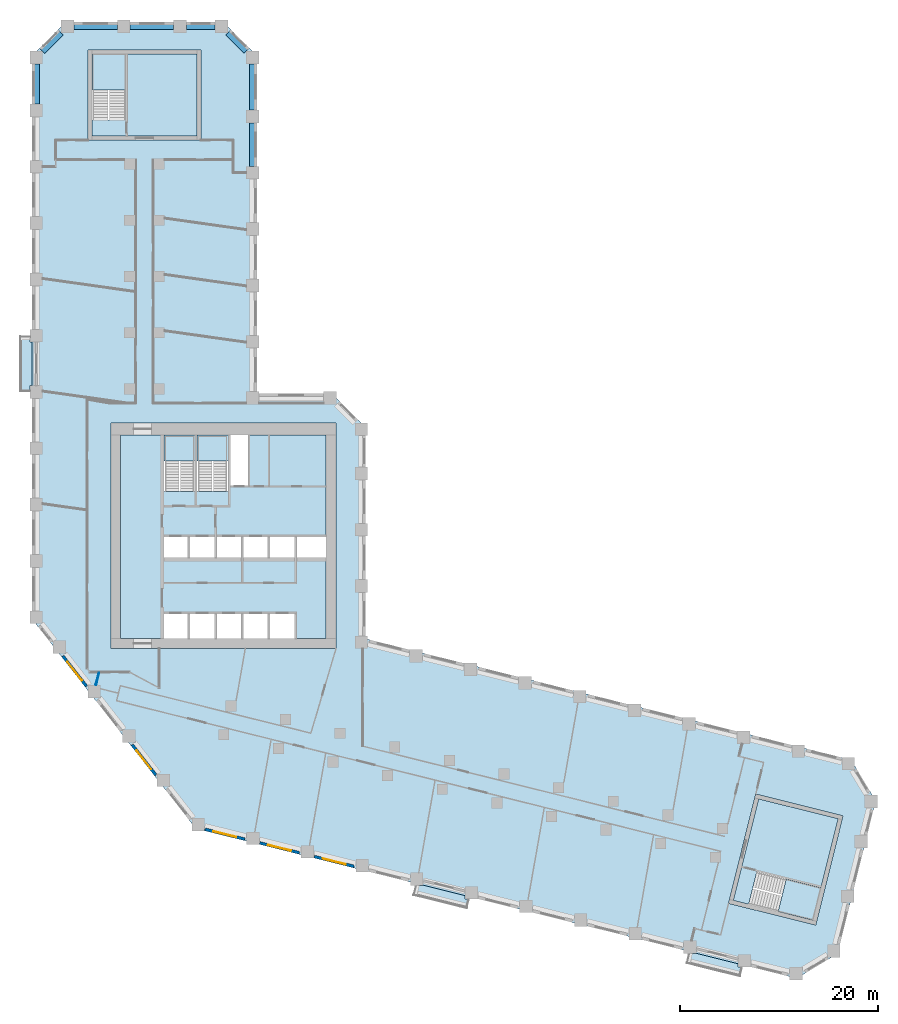
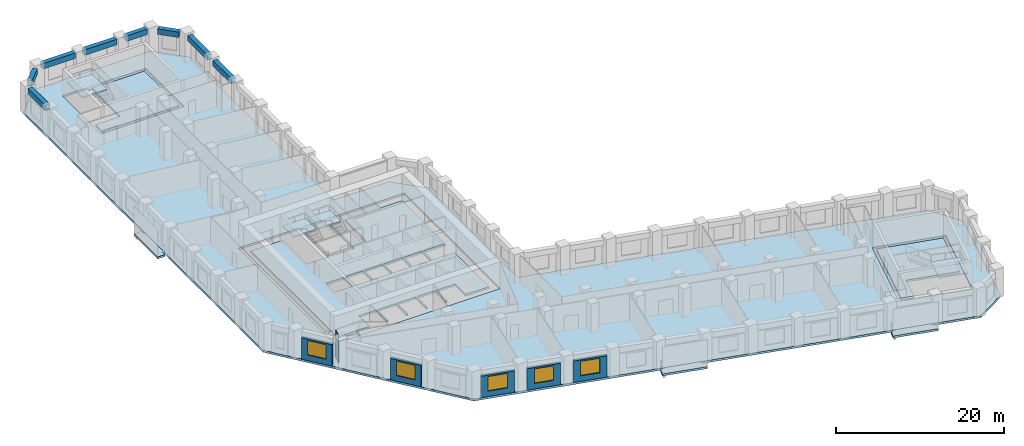
# One storey, part 2 of 10: 11 slabs, 8 beams, 6 walls, 5 windows, 5 openings, 4 elements without a shape of their own.
"""IFC4 building model written with IfcOpenShell, lengths in metres."""

from ifc_helpers import new_model, si_unit, direction, frame, frame_2d, origin, origin_2d, place, context, subcontext, project, spatial, polyline, rectangle, outline, extrude, material, layer, layer_set, material_profile, profile_set, type_object, element, fill, aggregate, save


model = new_model("IFC4")

# Units and contexts
model_context = context("Model", 3, precision=1e-05, world=origin(), true_north=direction((0.0, 1.0)))
body_context = subcontext(model_context, "Body", "Model", "MODEL_VIEW")
ifc_project = project(units=[si_unit("LENGTHUNIT", "METRE"), si_unit("AREAUNIT", "SQUARE_METRE"), si_unit("VOLUMEUNIT", "CUBIC_METRE"), si_unit("PLANEANGLEUNIT", "RADIAN"), si_unit("MASSUNIT", "GRAM", prefix="KILO")], contexts=[model_context])

# Site, building, storey
site_placement = place(None, origin())
site = spatial("IfcSite", under=ifc_project, at=site_placement, CompositionType="ELEMENT")
building_placement = place(site_placement, origin())
building = spatial("IfcBuilding", under=site, at=building_placement, Name="Meshkara Civic Tower", CompositionType="ELEMENT")
storey_placement = place(building_placement, frame((0.0, 0.0, 118.199951171875)))
storey = spatial("IfcBuildingStorey", under=building, at=storey_placement, Name="L26", CompositionType="ELEMENT", Elevation=118.199951171875)

# Beams
ifc_material_1 = material(Name="Concrete C70", Category="concrete")
ifc_material_profile = material_profile(ifc_material_1, rectangle(XDim=0.60009765625, YDim=0.800048828125, at=origin_2d()))
ifc_profile_set = profile_set([ifc_material_profile], Name="Concrete C70")
beam_type = type_object("IfcBeamType", Name="Spandrel beam RC 600x800 C70", PredefinedType="BEAM", material=ifc_profile_set)
beam_1_placement = place(storey_placement, frame((22.35009765625, 62.89501953125, 3.5), z_axis=(0.0, 1.0, 0.0), x_axis=(-1.0, 0.0, 0.0)))
element("IfcBeam", 1, at=beam_1_placement, inside=storey, type_object=beam_type, Name="Spandrel beam AE04-AE05", PredefinedType="BEAM", context=body_context, shape_type="SweptSolid", body=[
    extrude(rectangle(XDim=0.60009765625, YDim=0.800048828125, at=origin_2d()), origin(), (0.0, 0.0, 1.0), 4.409912109375),
])
beam_2_placement = place(storey_placement, frame((22.35009765625, 68.594970703125, 3.5), z_axis=(0.0, 1.0, 0.0), x_axis=(-1.0, 0.0, 0.0)))
element("IfcBeam", 2, at=beam_2_placement, inside=storey, type_object=beam_type, Name="Spandrel beam AE05-AEEP1", PredefinedType="BEAM", context=body_context, shape_type="SweptSolid", body=[
    extrude(rectangle(XDim=0.60009765625, YDim=0.800048828125, at=origin_2d()), origin(), (0.0, 0.0, 1.0), 4.674072265625),
])
beam_3_placement = place(storey_placement, frame((21.70361328125, 74.560546875, 3.5), z_axis=(-0.707106781187, 0.707106781187, 0.0), x_axis=(-0.707106781187, -0.707106781187, 0.0)))
element("IfcBeam", 3, at=beam_3_placement, inside=storey, type_object=beam_type, Name="Spandrel beam AEEP1-ATiEP1", PredefinedType="BEAM", context=body_context, shape_type="SweptSolid", body=[
    extrude(rectangle(XDim=0.60009765625, YDim=0.800048828125, at=origin_2d()), origin(), (0.0, 0.0, 1.0), 2.634765625),
])
beam_4_placement = place(storey_placement, frame((18.549072265625, 77.070068359375, 3.5), z_axis=(-1.0, 0.0, 0.0), x_axis=(0.0, -1.0, 0.0)))
element("IfcBeam", 4, at=beam_4_placement, inside=storey, type_object=beam_type, Name="Spandrel beam AT02-P1-ATiEP1", PredefinedType="BEAM", context=body_context, shape_type="SweptSolid", body=[
    extrude(rectangle(XDim=0.60009765625, YDim=0.800048828125, at=origin_2d()), origin(), (0.0, 0.0, 1.0), 2.898193359375),
])
beam_5_placement = place(storey_placement, frame((14.361083984375, 77.070068359375, 3.5), z_axis=(-1.0, 0.0, 0.0), x_axis=(0.0, -1.0, 0.0)))
element("IfcBeam", 5, at=beam_5_placement, inside=storey, type_object=beam_type, Name="Spandrel beam AT01-P1-AT02-P1", PredefinedType="BEAM", context=body_context, shape_type="SweptSolid", body=[
    extrude(rectangle(XDim=0.60009765625, YDim=0.800048828125, at=origin_2d()), origin(), (0.0, 0.0, 1.0), 4.41015625),
])
beam_6_placement = place(storey_placement, frame((8.660888671875, 77.070068359375, 3.5), z_axis=(-1.0, 0.0, 0.0), x_axis=(0.0, -1.0, 0.0)))
element("IfcBeam", 6, at=beam_6_placement, inside=storey, type_object=beam_type, Name="Spandrel beam AT00-P1-AT01-P1", PredefinedType="BEAM", context=body_context, shape_type="SweptSolid", body=[
    extrude(rectangle(XDim=0.60009765625, YDim=0.800048828125, at=origin_2d()), origin(), (0.0, 0.0, 1.0), 4.409912109375),
])
beam_7_placement = place(storey_placement, frame((2.95947265625, 76.423583984375, 3.5), z_axis=(-0.707106781187, -0.707106781187, 0.0), x_axis=(0.707106781187, -0.707106781187, 0.0)))
element("IfcBeam", 7, at=beam_7_placement, inside=storey, type_object=beam_type, Name="Spandrel beam AT00-P1-ATo00-P1", PredefinedType="BEAM", context=body_context, shape_type="SweptSolid", body=[
    extrude(rectangle(XDim=0.60009765625, YDim=0.800048828125, at=origin_2d()), origin(), (0.0, 0.0, 1.0), 2.634765625),
])
beam_8_placement = place(storey_placement, frame((0.449951171875, 73.26904296875, 3.5), z_axis=(0.0, -1.0, 0.0), x_axis=(1.0, 0.0, 0.0)))
element("IfcBeam", 8, at=beam_8_placement, inside=storey, type_object=beam_type, Name="Spandrel beam ATo00-P1-AW09", PredefinedType="BEAM", context=body_context, shape_type="SweptSolid", body=[
    extrude(rectangle(XDim=0.60009765625, YDim=0.800048828125, at=origin_2d()), origin(), (0.0, 0.0, 1.0), 4.069091796875),
])

# Slabs
ifc_material_2 = material(Name="Concrete C40", Category="concrete")
ifc_layer_1 = layer(ifc_material_2, 0.300048828125)
ifc_layer_set_1 = layer_set([ifc_layer_1], Name="BALCONY SLAB")
slab_type_1 = type_object("IfcSlabType", Name="BALCONY SLAB", PredefinedType="FLOOR", material=ifc_layer_set_1)
slab_1_placement = place(storey_placement, frame((0.0, 0.0, -0.300048828125)))
element("IfcSlab", 9, at=slab_1_placement, inside=storey, type_object=slab_type_1, Name="Balcony slab", PredefinedType="FLOOR", context=body_context, shape_type="SweptSolid", body=[
    extrude(outline(polyline([(-1.199951171875, 40.114990234375), (-1.199951171875, 45.695068359375), (-0.199951171875, 45.695068359375), (-0.199951171875, 45.10498046875), (0.0, 45.10498046875), (0.0, 40.705078125), (-0.199951171875, 40.705078125), (-0.199951171875, 40.114990234375), (-1.199951171875, 40.114990234375)])), origin(), (0.0, 0.0, 1.0), 0.300048828125),
])
slab_2_placement = place(storey_placement, frame((0.0, 0.0, -0.300048828125)))
element("IfcSlab", 10, at=slab_2_placement, inside=storey, type_object=slab_type_1, Name="Balcony slab", PredefinedType="FLOOR", context=body_context, shape_type="SweptSolid", body=[
    extrude(outline(polyline([(44.048095703125, -12.218994140625), (38.633056640625, -10.868896484375), (38.8740234375, -9.903076171875), (39.6240234375, -9.903076171875), (39.6240234375, -9.87890625), (43.85498046875, -10.93408203125), (43.85498046875, -11.281982421875), (44.281005859375, -11.281982421875), (44.048095703125, -12.218994140625)])), origin(), (0.0, 0.0, 1.0), 0.300048828125),
])
slab_3_placement = place(storey_placement, frame((0.0, 0.0, -0.300048828125)))
element("IfcSlab", 11, at=slab_3_placement, inside=storey, type_object=slab_type_1, Name="Balcony slab", PredefinedType="FLOOR", context=body_context, shape_type="SweptSolid", body=[
    extrude(outline(polyline([(71.700927734375, -19.113037109375), (66.285888671875, -17.762939453125), (66.527099609375, -16.798095703125), (67.277099609375, -16.798095703125), (67.277099609375, -16.77392578125), (71.508056640625, -17.8291015625), (71.508056640625, -18.177001953125), (71.93408203125, -18.177001953125), (71.700927734375, -19.113037109375)])), origin(), (0.0, 0.0, 1.0), 0.300048828125),
])
ifc_material_3 = material(Name="Concrete C40/50", Category="concrete")
ifc_layer_2 = layer(ifc_material_3, 0.300048828125)
ifc_layer_set_2 = layer_set([ifc_layer_2], Name="Core floor slab 300 C40/50")
slab_type_2 = type_object("IfcSlabType", Name="Core floor slab 300 C40/50", PredefinedType="FLOOR", material=ifc_layer_set_2)
slab_4_placement = place(storey_placement, frame((0.0, 0.0, -0.300048828125)))
element("IfcSlab", 12, at=slab_4_placement, inside=storey, type_object=slab_type_2, Name="Core floor K", PredefinedType="FLOOR", context=body_context, shape_type="SweptSolid", body=[
    extrude(outline(polyline([(9.0, 35.699951171875), (13.39990234375, 35.699951171875), (13.39990234375, 30.00146484375), (16.5, 30.00146484375), (16.5, 35.699951171875), (16.699951171875, 35.699951171875), (16.699951171875, 30.00146484375), (19.89990234375, 30.00146484375), (19.89990234375, 35.699951171875), (20.10009765625, 35.699951171875), (20.10009765625, 30.574951171875), (21.925048828125, 30.574951171875), (21.925048828125, 35.699951171875), (29.800048828125, 35.699951171875), (29.800048828125, 25.39990234375), (26.800048828125, 25.39990234375), (26.800048828125, 23.300048828125), (29.800048828125, 23.300048828125), (29.800048828125, 15.10009765625), (26.60009765625, 15.10009765625), (26.60009765625, 17.60009765625), (24.10009765625, 17.60009765625), (24.10009765625, 15.10009765625), (23.89990234375, 15.10009765625), (23.89990234375, 17.60009765625), (21.39990234375, 17.60009765625), (21.39990234375, 15.10009765625), (21.199951171875, 15.10009765625), (21.199951171875, 17.60009765625), (18.699951171875, 17.60009765625), (18.699951171875, 15.10009765625), (18.5, 15.10009765625), (18.5, 17.60009765625), (16.0, 17.60009765625), (16.0, 15.10009765625), (15.800048828125, 15.10009765625), (15.800048828125, 17.60009765625), (13.39990234375, 17.60009765625), (13.39990234375, 15.10009765625), (9.0, 15.10009765625), (9.0, 35.699951171875)]), holes=[polyline([(13.39990234375, 25.39990234375), (13.39990234375, 23.300048828125), (15.800048828125, 23.300048828125), (15.800048828125, 25.39990234375), (13.39990234375, 25.39990234375)]), polyline([(18.5, 23.300048828125), (18.5, 25.39990234375), (16.0, 25.39990234375), (16.0, 23.300048828125), (18.5, 23.300048828125)]), polyline([(18.699951171875, 25.39990234375), (18.699951171875, 23.300048828125), (21.199951171875, 23.300048828125), (21.199951171875, 25.39990234375), (18.699951171875, 25.39990234375)]), polyline([(21.39990234375, 23.300048828125), (23.89990234375, 23.300048828125), (23.89990234375, 25.39990234375), (21.39990234375, 25.39990234375), (21.39990234375, 23.300048828125)]), polyline([(26.60009765625, 25.39990234375), (24.10009765625, 25.39990234375), (24.10009765625, 23.300048828125), (26.60009765625, 23.300048828125), (26.60009765625, 25.39990234375)])]), origin(), (0.0, 0.0, 1.0), 0.300048828125),
])
slab_5_placement = place(storey_placement, frame((0.0, 0.0, -0.300048828125)))
element("IfcSlab", 13, at=slab_5_placement, inside=storey, type_object=slab_type_2, Name="Core floor EA", PredefinedType="FLOOR", context=body_context, shape_type="SweptSolid", body=[
    extrude(outline(polyline([(16.699951171875, 65.969970703125), (16.699951171875, 74.27001953125), (9.5, 74.27001953125), (9.5, 67.571533203125), (6.10009765625, 67.571533203125), (6.10009765625, 65.969970703125), (16.699951171875, 65.969970703125)])), origin(), (0.0, 0.0, 1.0), 0.300048828125),
])
slab_6_placement = place(storey_placement, frame((0.0, 0.0, -0.300048828125)))
element("IfcSlab", 14, at=slab_6_placement, inside=storey, type_object=slab_type_2, Name="Core floor EB", PredefinedType="FLOOR", context=body_context, shape_type="SweptSolid", body=[
    extrude(outline(polyline([(73.581298828125, -1.134521484375), (81.634521484375, -3.142578125), (79.892822265625, -10.128662109375), (73.393310546875, -8.508056640625), (72.57080078125, -11.80712890625), (71.016845703125, -11.419677734375), (73.581298828125, -1.134521484375)])), origin(), (0.0, 0.0, 1.0), 0.300048828125),
])

# Stair, slab
ifc_material_4 = material(Name="Precast concrete C40/50", Category="concrete")
stair_type_1 = type_object("IfcStairType", Name="Exit stair half-turn 24 risers precast", PredefinedType="HALF_TURN_STAIR", material=ifc_material_4)
stair_1_placement = place(storey_placement, origin())
stair_1 = element("IfcStair", 15, at=stair_1_placement, inside=storey, type_object=stair_type_1, Name="L26 exit stair 1", PredefinedType="HALF_TURN_STAIR")
ifc_material_5 = material(Name="Precast concrete C40/50", Category="concrete")
ifc_layer_3 = layer(ifc_material_5, 0.199951171875)
ifc_layer_set_3 = layer_set([ifc_layer_3], Name="Exit stair landing 200")
slab_type_3 = type_object("IfcSlabType", Name="Exit stair landing 200", PredefinedType="LANDING", material=ifc_layer_set_3)
slab_7_placement = place(storey_placement, frame((0.0, 0.0, 1.900146484375)))
slab_7 = element("IfcSlab", 16, at=slab_7_placement, type_object=slab_type_3, Name="ST1 landing 1", PredefinedType="LANDING", context=body_context, shape_type="SweptSolid", body=[
    extrude(outline(polyline([(16.5, 33.07861328125), (16.5, 35.699951171875), (13.39990234375, 35.699951171875), (13.39990234375, 33.07861328125), (16.5, 33.07861328125)])), origin(), (0.0, 0.0, 1.0), 0.199951171875),
])
aggregate(stair_1, [slab_7])

stair_2_placement = place(storey_placement, origin())
stair_2 = element("IfcStair", 17, at=stair_2_placement, inside=storey, type_object=stair_type_1, Name="L26 exit stair 2", PredefinedType="HALF_TURN_STAIR")
slab_8_placement = place(storey_placement, frame((0.0, 0.0, 1.900146484375)))
slab_8 = element("IfcSlab", 18, at=slab_8_placement, type_object=slab_type_3, Name="ST2 landing 1", PredefinedType="LANDING", context=body_context, shape_type="SweptSolid", body=[
    extrude(outline(polyline([(19.89990234375, 33.07861328125), (19.89990234375, 35.699951171875), (16.699951171875, 35.699951171875), (16.699951171875, 33.07861328125), (19.89990234375, 33.07861328125)])), origin(), (0.0, 0.0, 1.0), 0.199951171875),
])
aggregate(stair_2, [slab_8])

ifc_material_6 = material(Name="Precast concrete C40/50", Category="concrete")
stair_type_2 = type_object("IfcStairType", Name="Exit stair half-turn 24 risers 1600 precast", PredefinedType="HALF_TURN_STAIR", material=ifc_material_6)
stair_3_placement = place(storey_placement, origin())
stair_3 = element("IfcStair", 19, at=stair_3_placement, inside=storey, type_object=stair_type_2, Name="L26 exit stair A from L20", PredefinedType="HALF_TURN_STAIR")
slab_9_placement = place(storey_placement, frame((0.0, 0.0, 1.900146484375)))
slab_9 = element("IfcSlab", 20, at=slab_9_placement, type_object=slab_type_3, Name="ESA2 landing 1", PredefinedType="LANDING", context=body_context, shape_type="SweptSolid", body=[
    extrude(outline(polyline([(9.5, 70.6484375), (9.5, 74.27001953125), (6.10009765625, 74.27001953125), (6.10009765625, 70.6484375), (9.5, 70.6484375)])), origin(), (0.0, 0.0, 1.0), 0.199951171875),
])
aggregate(stair_3, [slab_9])

stair_4_placement = place(storey_placement, origin())
stair_4 = element("IfcStair", 21, at=stair_4_placement, inside=storey, type_object=stair_type_2, Name="L26 exit stair B from L20", PredefinedType="HALF_TURN_STAIR")
slab_10_placement = place(storey_placement, frame((0.0, 0.0, 1.900146484375)))
slab_10 = element("IfcSlab", 22, at=slab_10_placement, type_object=slab_type_3, Name="ESB2 landing 1", PredefinedType="LANDING", context=body_context, shape_type="SweptSolid", body=[
    extrude(outline(polyline([(75.5556640625, -12.55224609375), (79.06982421875, -13.428955078125), (79.89306640625, -10.12890625), (76.379150390625, -9.25244140625), (75.5556640625, -12.55224609375)])), origin(), (0.0, 0.0, 1.0), 0.199951171875),
])
aggregate(stair_4, [slab_10])

# Slab
ifc_material_7 = material(Name="Concrete C50", Category="concrete")
ifc_layer_4 = layer(ifc_material_7, 0.300048828125)
ifc_layer_set_4 = layer_set([ifc_layer_4], Name="Post-tensioned flat slab 300 C50")
slab_type_4 = type_object("IfcSlabType", Name="Post-tensioned flat slab 300 C50", PredefinedType="FLOOR", material=ifc_layer_set_4)
slab_11_placement = place(storey_placement, frame((0.0, 0.0, -0.300048828125)))
element("IfcSlab", 23, at=slab_11_placement, inside=storey, type_object=slab_type_4, Name="Post-tensioned flat slab L26", PredefinedType="FLOOR", context=body_context, shape_type="SweptSolid", body=[
    extrude(outline(polyline([(81.574951171875, -16.81396484375), (77.429931640625, -19.304931640625), (16.592041015625, -4.136962890625), (0.0, 17.10009765625), (0.0, 74.10009765625), (3.419921875, 77.52001953125), (19.3798828125, 77.52001953125), (22.800048828125, 74.10009765625), (22.800048828125, 39.89990234375), (30.3798828125, 39.89990234375), (33.800048828125, 36.47998046875), (33.800048828125, 15.071044921875), (82.945068359375, 2.81689453125), (85.43603515625, -1.327880859375), (81.574951171875, -16.81396484375)]), holes=[polyline([(79.362060546875, -13.9130859375), (82.1201171875, -2.85107421875), (73.2900390625, -0.64990234375), (70.531982421875, -11.7109375), (79.362060546875, -13.9130859375)]), polyline([(8.0, 14.10009765625), (30.800048828125, 14.10009765625), (30.800048828125, 36.89990234375), (8.0, 36.89990234375), (8.0, 14.10009765625)]), polyline([(5.699951171875, 74.669921875), (5.699951171875, 65.570068359375), (17.10009765625, 65.570068359375), (17.10009765625, 74.669921875), (5.699951171875, 74.669921875)])]), origin(), (0.0, 0.0, 1.0), 0.300048828125),
])

# Wall, opening, window
ifc_material_8 = material(Name="Insulated infill panel with bronze anodised aluminium cladding", Category="aluminium")
ifc_layer_5 = layer(ifc_material_8, 0.300048828125)
ifc_layer_set_5 = layer_set([ifc_layer_5], Name="EXTERNAL INFILL WALL 300")
wall_type_1 = type_object("IfcWallType", Name="EXTERNAL INFILL WALL 300", PredefinedType="SOLIDWALL", material=ifc_layer_set_5)
wall_1_placement = place(storey_placement, frame((3.138916015625, 13.324951171875, 0.0), z_axis=(0.0, 0.0, 1.0), x_axis=(0.615779754703, -0.787918329332, 0.0)))
wall_1 = element("IfcWall", 24, at=wall_1_placement, inside=storey, type_object=wall_type_1, Name="External wall", PredefinedType="SOLIDWALL", context=body_context, shape_type="SweptSolid", body=[
    extrude(rectangle(XDim=3.874755859375, YDim=0.300048828125, at=frame_2d((1.9375, 0.0))), origin(), (0.0, 0.0, 1.0), 3.10009765625),
])
opening_1_placement = place(wall_1_placement, frame((0.738037109375, 0.0, 0.800048828125)))
opening_1 = element("IfcOpeningElement", 25, at=opening_1_placement, cuts=wall_1, Name="Opening W7", PredefinedType="OPENING", context=body_context, shape_type="SweptSolid", body=[
    extrude(rectangle(XDim=2.39990234375, YDim=2.10009765625, at=frame_2d((1.199951171875, 1.050048828125))), frame((0.0, 0.159912109375, 0.0), z_axis=(0.0, -1.0, 0.0), x_axis=(1.0, 0.0, 0.0)), (0.0, 0.0, 1.0), 0.320068359375),
])
ifc_material_9 = material(Name="Tinted double glazing", Category="glass")
window_type = type_object("IfcWindowType", Name="WINDOW 2400x2100", PartitioningType="DOUBLE_PANEL_VERTICAL", PredefinedType="WINDOW", material=ifc_material_9)
window_1_placement = place(opening_1_placement, origin())
window_1 = element("IfcWindow", 26, at=window_1_placement, inside=storey, type_object=window_type, Name="Window", OverallHeight=2.10009765625, OverallWidth=2.39990234375, PartitioningType="DOUBLE_PANEL_VERTICAL", PredefinedType="WINDOW", context=body_context, shape_type="SweptSolid", body=[
    extrude(rectangle(XDim=2.39990234375, YDim=2.10009765625, at=frame_2d((1.199951171875, 1.050048828125))), frame((0.0, 0.030029296875, 0.0), z_axis=(0.0, -1.0, 0.0), x_axis=(1.0, 0.0, 0.0)), (0.0, 0.0, 1.0), 0.06005859375),
])
fill(opening_1, window_1)

wall_2_placement = place(storey_placement, frame((10.157958984375, 4.341064453125, 0.0), z_axis=(0.0, 0.0, 1.0), x_axis=(0.615779754703, -0.787918329332, 0.0)))
wall_2 = element("IfcWall", 27, at=wall_2_placement, inside=storey, type_object=wall_type_1, Name="External wall", PredefinedType="SOLIDWALL", context=body_context, shape_type="SweptSolid", body=[
    extrude(rectangle(XDim=3.874755859375, YDim=0.300048828125, at=frame_2d((1.9375, 0.0))), origin(), (0.0, 0.0, 1.0), 3.10009765625),
])
opening_2_placement = place(wall_2_placement, frame((0.737060546875, 0.0, 0.800048828125)))
opening_2 = element("IfcOpeningElement", 28, at=opening_2_placement, cuts=wall_2, Name="Opening W7", PredefinedType="OPENING", context=body_context, shape_type="SweptSolid", body=[
    extrude(rectangle(XDim=2.39990234375, YDim=2.10009765625, at=frame_2d((1.199951171875, 1.050048828125))), frame((0.0, 0.159912109375, 0.0), z_axis=(0.0, -1.0, 0.0), x_axis=(1.0, 0.0, 0.0)), (0.0, 0.0, 1.0), 0.320068359375),
])
window_2_placement = place(opening_2_placement, origin())
window_2 = element("IfcWindow", 29, at=window_2_placement, inside=storey, type_object=window_type, Name="Window", OverallHeight=2.10009765625, OverallWidth=2.39990234375, PartitioningType="DOUBLE_PANEL_VERTICAL", PredefinedType="WINDOW", context=body_context, shape_type="SweptSolid", body=[
    extrude(rectangle(XDim=2.39990234375, YDim=2.10009765625, at=frame_2d((1.199951171875, 1.050048828125))), frame((0.0, 0.030029296875, 0.0), z_axis=(0.0, -1.0, 0.0), x_axis=(1.0, 0.0, 0.0)), (0.0, 0.0, 1.0), 0.06005859375),
])
fill(opening_2, window_2)

wall_3_placement = place(storey_placement, frame((17.54296875, -4.219970703125, 0.0), z_axis=(0.0, 0.0, 1.0), x_axis=(0.970337184445, -0.241755555227, 0.0)))
wall_3 = element("IfcWall", 30, at=wall_3_placement, inside=storey, type_object=wall_type_1, Name="External wall", PredefinedType="SOLIDWALL", context=body_context, shape_type="SweptSolid", body=[
    extrude(rectangle(XDim=4.124267578125, YDim=0.300048828125, at=frame_2d((2.06201171875, 0.0))), origin(), (0.0, 0.0, 1.0), 3.10009765625),
])
opening_3_placement = place(wall_3_placement, frame((0.862060546875, 0.0, 0.800048828125)))
opening_3 = element("IfcOpeningElement", 31, at=opening_3_placement, cuts=wall_3, Name="Opening W7", PredefinedType="OPENING", context=body_context, shape_type="SweptSolid", body=[
    extrude(rectangle(XDim=2.39990234375, YDim=2.10009765625, at=frame_2d((1.199951171875, 1.050048828125))), frame((0.0, 0.159912109375, 0.0), z_axis=(0.0, -1.0, 0.0), x_axis=(1.0, 0.0, 0.0)), (0.0, 0.0, 1.0), 0.320068359375),
])
window_3_placement = place(opening_3_placement, origin())
window_3 = element("IfcWindow", 32, at=window_3_placement, inside=storey, type_object=window_type, Name="Window", OverallHeight=2.10009765625, OverallWidth=2.39990234375, PartitioningType="DOUBLE_PANEL_VERTICAL", PredefinedType="WINDOW", context=body_context, shape_type="SweptSolid", body=[
    extrude(rectangle(XDim=2.39990234375, YDim=2.10009765625, at=frame_2d((1.199951171875, 1.050048828125))), frame((0.0, 0.030029296875, 0.0), z_axis=(0.0, -1.0, 0.0), x_axis=(1.0, 0.0, 0.0)), (0.0, 0.0, 1.0), 0.06005859375),
])
fill(opening_3, window_3)

wall_4_placement = place(storey_placement, frame((23.073974609375, -5.597900390625, 0.0), z_axis=(0.0, 0.0, 1.0), x_axis=(0.970267747908, -0.242034083076, 0.0)))
wall_4 = element("IfcWall", 33, at=wall_4_placement, inside=storey, type_object=wall_type_1, Name="External wall", PredefinedType="SOLIDWALL", context=body_context, shape_type="SweptSolid", body=[
    extrude(rectangle(XDim=4.12353515625, YDim=0.300048828125, at=frame_2d((2.061767578125, 0.0))), origin(), (0.0, 0.0, 1.0), 3.10009765625),
])
opening_4_placement = place(wall_4_placement, frame((0.862060546875, 0.0, 0.800048828125)))
opening_4 = element("IfcOpeningElement", 34, at=opening_4_placement, cuts=wall_4, Name="Opening W7", PredefinedType="OPENING", context=body_context, shape_type="SweptSolid", body=[
    extrude(rectangle(XDim=2.39990234375, YDim=2.10009765625, at=frame_2d((1.199951171875, 1.050048828125))), frame((0.0, 0.159912109375, 0.0), z_axis=(0.0, -1.0, 0.0), x_axis=(1.0, 0.0, 0.0)), (0.0, 0.0, 1.0), 0.320068359375),
])
window_4_placement = place(opening_4_placement, origin())
window_4 = element("IfcWindow", 35, at=window_4_placement, inside=storey, type_object=window_type, Name="Window", OverallHeight=2.10009765625, OverallWidth=2.39990234375, PartitioningType="DOUBLE_PANEL_VERTICAL", PredefinedType="WINDOW", context=body_context, shape_type="SweptSolid", body=[
    extrude(rectangle(XDim=2.39990234375, YDim=2.10009765625, at=frame_2d((1.199951171875, 1.050048828125))), frame((0.0, 0.030029296875, 0.0), z_axis=(0.0, -1.0, 0.0), x_axis=(1.0, 0.0, 0.0)), (0.0, 0.0, 1.0), 0.06005859375),
])
fill(opening_4, window_4)

wall_5_placement = place(storey_placement, frame((28.60400390625, -6.97705078125, 0.0), z_axis=(0.0, 0.0, 1.0), x_axis=(0.970281616392, -0.241978480223, 0.0)))
wall_5 = element("IfcWall", 36, at=wall_5_placement, inside=storey, type_object=wall_type_1, Name="External wall", PredefinedType="SOLIDWALL", context=body_context, shape_type="SweptSolid", body=[
    extrude(rectangle(XDim=4.12451171875, YDim=0.300048828125, at=frame_2d((2.062255859375, 0.0))), origin(), (0.0, 0.0, 1.0), 3.10009765625),
])
opening_5_placement = place(wall_5_placement, frame((0.862060546875, 0.0, 0.800048828125)))
opening_5 = element("IfcOpeningElement", 37, at=opening_5_placement, cuts=wall_5, Name="Opening W7", PredefinedType="OPENING", context=body_context, shape_type="SweptSolid", body=[
    extrude(rectangle(XDim=2.39990234375, YDim=2.10009765625, at=frame_2d((1.199951171875, 1.050048828125))), frame((0.0, 0.159912109375, 0.0), z_axis=(0.0, -1.0, 0.0), x_axis=(1.0, 0.0, 0.0)), (0.0, 0.0, 1.0), 0.320068359375),
])
window_5_placement = place(opening_5_placement, origin())
window_5 = element("IfcWindow", 38, at=window_5_placement, inside=storey, type_object=window_type, Name="Window", OverallHeight=2.10009765625, OverallWidth=2.39990234375, PartitioningType="DOUBLE_PANEL_VERTICAL", PredefinedType="WINDOW", context=body_context, shape_type="SweptSolid", body=[
    extrude(rectangle(XDim=2.39990234375, YDim=2.10009765625, at=frame_2d((1.199951171875, 1.050048828125))), frame((0.0, 0.030029296875, 0.0), z_axis=(0.0, -1.0, 0.0), x_axis=(1.0, 0.0, 0.0)), (0.0, 0.0, 1.0), 0.06005859375),
])
fill(opening_5, window_5)

# Wall
ifc_material_10 = material(Name="Partition 100")
ifc_layer_6 = layer(ifc_material_10, 0.10009765625)
ifc_layer_set_6 = layer_set([ifc_layer_6], Name="Partition 100")
wall_type_2 = type_object("IfcWallType", Name="Partition 100", PredefinedType="PARTITIONING", material=ifc_layer_set_6)
wall_6_placement = place(storey_placement, frame((6.797119140625, 11.637939453125, 0.0), z_axis=(0.0, 0.0, 1.0), x_axis=(-0.242000927221, -0.970276018061, 0.0)))
element("IfcWall", 39, at=wall_6_placement, inside=storey, type_object=wall_type_2, Name="L26-W033", PredefinedType="PARTITIONING", context=body_context, shape_type="SweptSolid", body=[
    extrude(rectangle(XDim=1.289306640625, YDim=0.10009765625, at=frame_2d((0.64453125, 0.0))), origin(), (0.0, 0.0, 1.0), 3.900146484375),
])

save(model, "model.ifc")
